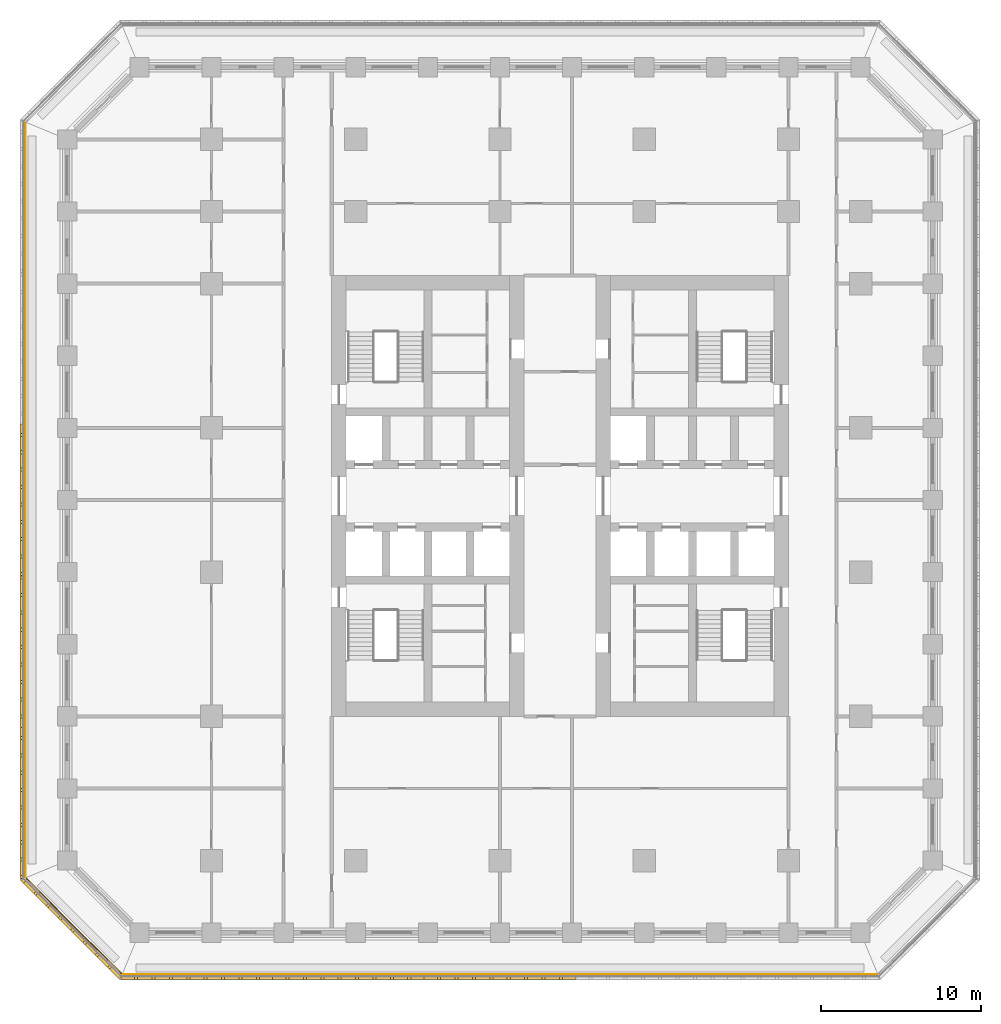
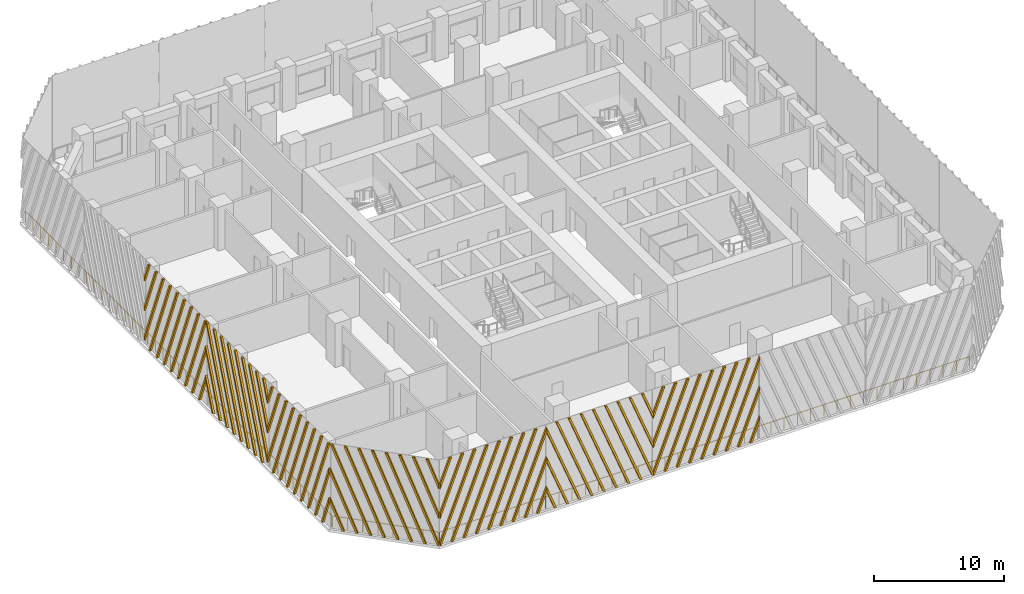
# One storey, part 10 of 19: 7 shading devices, 3 railings.
"""IFC4 building model written with IfcOpenShell, lengths in metres."""

from ifc_helpers import new_model, si_unit, direction, frame, origin, origin_2d, place, context, subcontext, project, spatial, polyline, circle, outline, extrude, source, transform, mapped, material, type_object, element, save


model = new_model("IFC4")

# Units and contexts
model_context = context("Model", 3, precision=1e-05, world=origin(), true_north=direction((0.0, 1.0)))
body_context = subcontext(model_context, "Body", "Model", "MODEL_VIEW")
ifc_project = project(units=[si_unit("LENGTHUNIT", "METRE"), si_unit("AREAUNIT", "SQUARE_METRE"), si_unit("VOLUMEUNIT", "CUBIC_METRE"), si_unit("PLANEANGLEUNIT", "RADIAN"), si_unit("MASSUNIT", "GRAM", prefix="KILO")], contexts=[model_context])

# Site, building, storey
site_placement = place(None, origin())
site = spatial("IfcSite", under=ifc_project, at=site_placement, CompositionType="ELEMENT")
building_placement = place(site_placement, origin())
building = spatial("IfcBuilding", under=site, at=building_placement, Name="Corbel Stack Research Tower", CompositionType="ELEMENT")
storey_placement = place(building_placement, frame((0.0, 0.0, 124.89990234375)))
storey = spatial("IfcBuildingStorey", under=building, at=storey_placement, Name="L28", CompositionType="ELEMENT", Elevation=124.89990234375)

# Railings
ifc_material_1 = material(Name="Powder-coated steel guard", Category="steel")
railing_type = type_object("IfcRailingType", Name="Steel and glass guard 1100", PredefinedType="GUARDRAIL", material=ifc_material_1)
railing_1_placement = place(storey_placement, frame((-23.50537109375, -25.10009765625, 0.0)))
element("IfcRailing", 1, at=railing_1_placement, inside=storey, type_object=railing_type, Name="Loggia guard L28 S", PredefinedType="GUARDRAIL", context=body_context, shape_type="SweptSolid", body=[
    extrude(circle(Radius=0.02392578125, at=origin_2d()), frame((0.0, 0.0, 1.076171875), z_axis=(1.0, 0.0, 0.0), x_axis=(0.0, 1.0, 0.0)), (0.0, 0.0, 1.0), 47.0107421875),
    extrude(circle(Radius=0.02099609375, at=origin_2d()), origin(), (0.0, 0.0, 1.0), 1.052001953125),
    extrude(circle(Radius=0.02099609375, at=origin_2d()), frame((1.17529296875, 0.0, 0.0)), (0.0, 0.0, 1.0), 1.052001953125),
    extrude(circle(Radius=0.02099609375, at=origin_2d()), frame((2.3505859375, 0.0, 0.0)), (0.0, 0.0, 1.0), 1.052001953125),
    extrude(circle(Radius=0.02099609375, at=origin_2d()), frame((3.52587890625, 0.0, 0.0)), (0.0, 0.0, 1.0), 1.052001953125),
    extrude(circle(Radius=0.02099609375, at=origin_2d()), frame((4.701171875, 0.0, 0.0)), (0.0, 0.0, 1.0), 1.052001953125),
    extrude(circle(Radius=0.02099609375, at=origin_2d()), frame((5.87646484375, 0.0, 0.0)), (0.0, 0.0, 1.0), 1.052001953125),
    extrude(circle(Radius=0.02099609375, at=origin_2d()), frame((7.051513671875, 0.0, 0.0)), (0.0, 0.0, 1.0), 1.052001953125),
    extrude(circle(Radius=0.02099609375, at=origin_2d()), frame((8.226806640625, 0.0, 0.0)), (0.0, 0.0, 1.0), 1.052001953125),
    extrude(circle(Radius=0.02099609375, at=origin_2d()), frame((9.402099609375, 0.0, 0.0)), (0.0, 0.0, 1.0), 1.052001953125),
    extrude(circle(Radius=0.02099609375, at=origin_2d()), frame((10.577392578125, 0.0, 0.0)), (0.0, 0.0, 1.0), 1.052001953125),
    extrude(circle(Radius=0.02099609375, at=origin_2d()), frame((11.752685546875, 0.0, 0.0)), (0.0, 0.0, 1.0), 1.052001953125),
    extrude(circle(Radius=0.02099609375, at=origin_2d()), frame((12.927978515625, 0.0, 0.0)), (0.0, 0.0, 1.0), 1.052001953125),
    extrude(circle(Radius=0.02099609375, at=origin_2d()), frame((14.103271484375, 0.0, 0.0)), (0.0, 0.0, 1.0), 1.052001953125),
    extrude(circle(Radius=0.02099609375, at=origin_2d()), frame((15.278564453125, 0.0, 0.0)), (0.0, 0.0, 1.0), 1.052001953125),
    extrude(circle(Radius=0.02099609375, at=origin_2d()), frame((16.453857421875, 0.0, 0.0)), (0.0, 0.0, 1.0), 1.052001953125),
    extrude(circle(Radius=0.02099609375, at=origin_2d()), frame((17.62890625, 0.0, 0.0)), (0.0, 0.0, 1.0), 1.052001953125),
    extrude(circle(Radius=0.02099609375, at=origin_2d()), frame((18.80419921875, 0.0, 0.0)), (0.0, 0.0, 1.0), 1.052001953125),
    extrude(circle(Radius=0.02099609375, at=origin_2d()), frame((19.9794921875, 0.0, 0.0)), (0.0, 0.0, 1.0), 1.052001953125),
    extrude(circle(Radius=0.02099609375, at=origin_2d()), frame((21.15478515625, 0.0, 0.0)), (0.0, 0.0, 1.0), 1.052001953125),
    extrude(circle(Radius=0.02099609375, at=origin_2d()), frame((22.330078125, 0.0, 0.0)), (0.0, 0.0, 1.0), 1.052001953125),
    extrude(circle(Radius=0.02099609375, at=origin_2d()), frame((23.50537109375, 0.0, 0.0)), (0.0, 0.0, 1.0), 1.052001953125),
    extrude(circle(Radius=0.02099609375, at=origin_2d()), frame((24.6806640625, 0.0, 0.0)), (0.0, 0.0, 1.0), 1.052001953125),
    extrude(circle(Radius=0.02099609375, at=origin_2d()), frame((25.85595703125, 0.0, 0.0)), (0.0, 0.0, 1.0), 1.052001953125),
    extrude(circle(Radius=0.02099609375, at=origin_2d()), frame((27.03125, 0.0, 0.0)), (0.0, 0.0, 1.0), 1.052001953125),
    extrude(circle(Radius=0.02099609375, at=origin_2d()), frame((28.20654296875, 0.0, 0.0)), (0.0, 0.0, 1.0), 1.052001953125),
    extrude(circle(Radius=0.02099609375, at=origin_2d()), frame((29.3818359375, 0.0, 0.0)), (0.0, 0.0, 1.0), 1.052001953125),
    extrude(circle(Radius=0.02099609375, at=origin_2d()), frame((30.556884765625, 0.0, 0.0)), (0.0, 0.0, 1.0), 1.052001953125),
    extrude(circle(Radius=0.02099609375, at=origin_2d()), frame((31.732177734375, 0.0, 0.0)), (0.0, 0.0, 1.0), 1.052001953125),
    extrude(circle(Radius=0.02099609375, at=origin_2d()), frame((32.907470703125, 0.0, 0.0)), (0.0, 0.0, 1.0), 1.052001953125),
    extrude(circle(Radius=0.02099609375, at=origin_2d()), frame((34.082763671875, 0.0, 0.0)), (0.0, 0.0, 1.0), 1.052001953125),
    extrude(circle(Radius=0.02099609375, at=origin_2d()), frame((35.258056640625, 0.0, 0.0)), (0.0, 0.0, 1.0), 1.052001953125),
    extrude(circle(Radius=0.02099609375, at=origin_2d()), frame((36.433349609375, 0.0, 0.0)), (0.0, 0.0, 1.0), 1.052001953125),
    extrude(circle(Radius=0.02099609375, at=origin_2d()), frame((37.608642578125, 0.0, 0.0)), (0.0, 0.0, 1.0), 1.052001953125),
    extrude(circle(Radius=0.02099609375, at=origin_2d()), frame((38.783935546875, 0.0, 0.0)), (0.0, 0.0, 1.0), 1.052001953125),
    extrude(circle(Radius=0.02099609375, at=origin_2d()), frame((39.959228515625, 0.0, 0.0)), (0.0, 0.0, 1.0), 1.052001953125),
    extrude(circle(Radius=0.02099609375, at=origin_2d()), frame((41.13427734375, 0.0, 0.0)), (0.0, 0.0, 1.0), 1.052001953125),
    extrude(circle(Radius=0.02099609375, at=origin_2d()), frame((42.3095703125, 0.0, 0.0)), (0.0, 0.0, 1.0), 1.052001953125),
    extrude(circle(Radius=0.02099609375, at=origin_2d()), frame((43.48486328125, 0.0, 0.0)), (0.0, 0.0, 1.0), 1.052001953125),
    extrude(circle(Radius=0.02099609375, at=origin_2d()), frame((44.66015625, 0.0, 0.0)), (0.0, 0.0, 1.0), 1.052001953125),
    extrude(circle(Radius=0.02099609375, at=origin_2d()), frame((45.83544921875, 0.0, 0.0)), (0.0, 0.0, 1.0), 1.052001953125),
    extrude(circle(Radius=0.02099609375, at=origin_2d()), frame((47.0107421875, 0.0, 0.0)), (0.0, 0.0, 1.0), 1.052001953125),
])
railing_2_placement = place(storey_placement, frame((-29.60009765625, 28.00537109375, 0.0)))
element("IfcRailing", 2, at=railing_2_placement, inside=storey, type_object=railing_type, Name="Loggia guard L28 W", PredefinedType="GUARDRAIL", context=body_context, shape_type="SweptSolid", body=[
    extrude(circle(Radius=0.02392578125, at=origin_2d()), frame((0.0, 0.0, 1.076171875), z_axis=(0.0, -1.0, 0.0), x_axis=(1.0, 0.0, 0.0)), (0.0, 0.0, 1.0), 47.0107421875),
    extrude(circle(Radius=0.02099609375, at=origin_2d()), origin(), (0.0, 0.0, 1.0), 1.052001953125),
    extrude(circle(Radius=0.02099609375, at=origin_2d()), frame((0.0, -1.17529296875, 0.0)), (0.0, 0.0, 1.0), 1.052001953125),
    extrude(circle(Radius=0.02099609375, at=origin_2d()), frame((0.0, -2.3505859375, 0.0)), (0.0, 0.0, 1.0), 1.052001953125),
    extrude(circle(Radius=0.02099609375, at=origin_2d()), frame((0.0, -3.52587890625, 0.0)), (0.0, 0.0, 1.0), 1.052001953125),
    extrude(circle(Radius=0.02099609375, at=origin_2d()), frame((0.0, -4.701171875, 0.0)), (0.0, 0.0, 1.0), 1.052001953125),
    extrude(circle(Radius=0.02099609375, at=origin_2d()), frame((0.0, -5.87646484375, 0.0)), (0.0, 0.0, 1.0), 1.052001953125),
    extrude(circle(Radius=0.02099609375, at=origin_2d()), frame((0.0, -7.051513671875, 0.0)), (0.0, 0.0, 1.0), 1.052001953125),
    extrude(circle(Radius=0.02099609375, at=origin_2d()), frame((0.0, -8.226806640625, 0.0)), (0.0, 0.0, 1.0), 1.052001953125),
    extrude(circle(Radius=0.02099609375, at=origin_2d()), frame((0.0, -9.402099609375, 0.0)), (0.0, 0.0, 1.0), 1.052001953125),
    extrude(circle(Radius=0.02099609375, at=origin_2d()), frame((0.0, -10.577392578125, 0.0)), (0.0, 0.0, 1.0), 1.052001953125),
    extrude(circle(Radius=0.02099609375, at=origin_2d()), frame((0.0, -11.752685546875, 0.0)), (0.0, 0.0, 1.0), 1.052001953125),
    extrude(circle(Radius=0.02099609375, at=origin_2d()), frame((0.0, -12.927978515625, 0.0)), (0.0, 0.0, 1.0), 1.052001953125),
    extrude(circle(Radius=0.02099609375, at=origin_2d()), frame((0.0, -14.103271484375, 0.0)), (0.0, 0.0, 1.0), 1.052001953125),
    extrude(circle(Radius=0.02099609375, at=origin_2d()), frame((0.0, -15.278564453125, 0.0)), (0.0, 0.0, 1.0), 1.052001953125),
    extrude(circle(Radius=0.02099609375, at=origin_2d()), frame((0.0, -16.453857421875, 0.0)), (0.0, 0.0, 1.0), 1.052001953125),
    extrude(circle(Radius=0.02099609375, at=origin_2d()), frame((0.0, -17.62890625, 0.0)), (0.0, 0.0, 1.0), 1.052001953125),
    extrude(circle(Radius=0.02099609375, at=origin_2d()), frame((0.0, -18.80419921875, 0.0)), (0.0, 0.0, 1.0), 1.052001953125),
    extrude(circle(Radius=0.02099609375, at=origin_2d()), frame((0.0, -19.9794921875, 0.0)), (0.0, 0.0, 1.0), 1.052001953125),
    extrude(circle(Radius=0.02099609375, at=origin_2d()), frame((0.0, -21.15478515625, 0.0)), (0.0, 0.0, 1.0), 1.052001953125),
    extrude(circle(Radius=0.02099609375, at=origin_2d()), frame((0.0, -22.330078125, 0.0)), (0.0, 0.0, 1.0), 1.052001953125),
    extrude(circle(Radius=0.02099609375, at=origin_2d()), frame((0.0, -23.50537109375, 0.0)), (0.0, 0.0, 1.0), 1.052001953125),
    extrude(circle(Radius=0.02099609375, at=origin_2d()), frame((0.0, -24.6806640625, 0.0)), (0.0, 0.0, 1.0), 1.052001953125),
    extrude(circle(Radius=0.02099609375, at=origin_2d()), frame((0.0, -25.85595703125, 0.0)), (0.0, 0.0, 1.0), 1.052001953125),
    extrude(circle(Radius=0.02099609375, at=origin_2d()), frame((0.0, -27.03125, 0.0)), (0.0, 0.0, 1.0), 1.052001953125),
    extrude(circle(Radius=0.02099609375, at=origin_2d()), frame((0.0, -28.20654296875, 0.0)), (0.0, 0.0, 1.0), 1.052001953125),
    extrude(circle(Radius=0.02099609375, at=origin_2d()), frame((0.0, -29.3818359375, 0.0)), (0.0, 0.0, 1.0), 1.052001953125),
    extrude(circle(Radius=0.02099609375, at=origin_2d()), frame((0.0, -30.556884765625, 0.0)), (0.0, 0.0, 1.0), 1.052001953125),
    extrude(circle(Radius=0.02099609375, at=origin_2d()), frame((0.0, -31.732177734375, 0.0)), (0.0, 0.0, 1.0), 1.052001953125),
    extrude(circle(Radius=0.02099609375, at=origin_2d()), frame((0.0, -32.907470703125, 0.0)), (0.0, 0.0, 1.0), 1.052001953125),
    extrude(circle(Radius=0.02099609375, at=origin_2d()), frame((0.0, -34.082763671875, 0.0)), (0.0, 0.0, 1.0), 1.052001953125),
    extrude(circle(Radius=0.02099609375, at=origin_2d()), frame((0.0, -35.258056640625, 0.0)), (0.0, 0.0, 1.0), 1.052001953125),
    extrude(circle(Radius=0.02099609375, at=origin_2d()), frame((0.0, -36.433349609375, 0.0)), (0.0, 0.0, 1.0), 1.052001953125),
    extrude(circle(Radius=0.02099609375, at=origin_2d()), frame((0.0, -37.608642578125, 0.0)), (0.0, 0.0, 1.0), 1.052001953125),
    extrude(circle(Radius=0.02099609375, at=origin_2d()), frame((0.0, -38.783935546875, 0.0)), (0.0, 0.0, 1.0), 1.052001953125),
    extrude(circle(Radius=0.02099609375, at=origin_2d()), frame((0.0, -39.959228515625, 0.0)), (0.0, 0.0, 1.0), 1.052001953125),
    extrude(circle(Radius=0.02099609375, at=origin_2d()), frame((0.0, -41.13427734375, 0.0)), (0.0, 0.0, 1.0), 1.052001953125),
    extrude(circle(Radius=0.02099609375, at=origin_2d()), frame((0.0, -42.3095703125, 0.0)), (0.0, 0.0, 1.0), 1.052001953125),
    extrude(circle(Radius=0.02099609375, at=origin_2d()), frame((0.0, -43.48486328125, 0.0)), (0.0, 0.0, 1.0), 1.052001953125),
    extrude(circle(Radius=0.02099609375, at=origin_2d()), frame((0.0, -44.66015625, 0.0)), (0.0, 0.0, 1.0), 1.052001953125),
    extrude(circle(Radius=0.02099609375, at=origin_2d()), frame((0.0, -45.83544921875, 0.0)), (0.0, 0.0, 1.0), 1.052001953125),
    extrude(circle(Radius=0.02099609375, at=origin_2d()), frame((0.0, -47.0107421875, 0.0)), (0.0, 0.0, 1.0), 1.052001953125),
])
railing_3_placement = place(storey_placement, frame((-29.54931640625, -19.127685546875, 0.0)))
element("IfcRailing", 3, at=railing_3_placement, inside=storey, type_object=railing_type, Name="Loggia guard L28 SW", PredefinedType="GUARDRAIL", context=body_context, shape_type="SweptSolid", body=[
    extrude(circle(Radius=0.02392578125, at=origin_2d()), frame((0.0, 0.0, 1.076171875), z_axis=(0.707106781187, -0.707106781187, 0.0), x_axis=(0.707106781187, 0.707106781187, 0.0)), (0.0, 0.0, 1.0), 8.37451171875),
    extrude(circle(Radius=0.02099609375, at=origin_2d()), origin(), (0.0, 0.0, 1.0), 1.052001953125),
    extrude(circle(Radius=0.02099609375, at=origin_2d()), frame((0.845947265625, -0.845947265625, 0.0)), (0.0, 0.0, 1.0), 1.052001953125),
    extrude(circle(Radius=0.02099609375, at=origin_2d()), frame((1.69189453125, -1.69189453125, 0.0)), (0.0, 0.0, 1.0), 1.052001953125),
    extrude(circle(Radius=0.02099609375, at=origin_2d()), frame((2.537841796875, -2.537841796875, 0.0)), (0.0, 0.0, 1.0), 1.052001953125),
    extrude(circle(Radius=0.02099609375, at=origin_2d()), frame((3.3837890625, -3.3837890625, 0.0)), (0.0, 0.0, 1.0), 1.052001953125),
    extrude(circle(Radius=0.02099609375, at=origin_2d()), frame((4.229736328125, -4.229736328125, 0.0)), (0.0, 0.0, 1.0), 1.052001953125),
    extrude(circle(Radius=0.02099609375, at=origin_2d()), frame((5.07568359375, -5.07568359375, 0.0)), (0.0, 0.0, 1.0), 1.052001953125),
    extrude(circle(Radius=0.02099609375, at=origin_2d()), frame((5.921630859375, -5.921630859375, 0.0)), (0.0, 0.0, 1.0), 1.052001953125),
])

# Shading devices
ifc_material_2 = material(Name="Precast terracotta", Category="masonry")
shading_device_type = type_object("IfcShadingDeviceType", Name="Terracotta screen panel", PredefinedType="USERDEFINED", material=ifc_material_2)
shared_shape_1 = source(origin(), body_context, "Body", "SweptSolid", [
    extrude(outline(polyline([(1.030517578125, 7.949951171875), (0.840576171875, 7.949951171875), (0.0, 5.7978515625), (0.0, 5.311279296875), (1.030517578125, 7.949951171875)])), frame((0.0, 0.0, 0.0), z_axis=(0.0, -1.0, 0.0), x_axis=(1.0, 0.0, 0.0)), (0.0, 0.0, 1.0), 0.179931640625),
    extrude(outline(polyline([(2.115234375, 7.949951171875), (1.92529296875, 7.949951171875), (0.0, 3.0205078125), (0.0, 2.533935546875), (2.115234375, 7.949951171875)])), frame((0.0, 0.0, 0.0), z_axis=(0.0, -1.0, 0.0), x_axis=(1.0, 0.0, 0.0)), (0.0, 0.0, 1.0), 0.179931640625),
    extrude(outline(polyline([(0.094970703125, 0.0), (3.199951171875, 7.949951171875), (3.010009765625, 7.949951171875), (0.0, 0.2431640625), (0.0, 0.0), (0.094970703125, 0.0)])), frame((0.0, 0.0, 0.0), z_axis=(0.0, -1.0, 0.0), x_axis=(1.0, 0.0, 0.0)), (0.0, 0.0, 1.0), 0.179931640625),
    extrude(outline(polyline([(1.1796875, 0.0), (4.284423828125, 7.949951171875), (4.094482421875, 7.949951171875), (0.98974609375, 0.0), (1.1796875, 0.0)])), frame((0.0, 0.0, 0.0), z_axis=(0.0, -1.0, 0.0), x_axis=(1.0, 0.0, 0.0)), (0.0, 0.0, 1.0), 0.179931640625),
    extrude(outline(polyline([(2.264404296875, 0.0), (5.369140625, 7.949951171875), (5.17919921875, 7.949951171875), (2.07421875, 0.0), (2.264404296875, 0.0)])), frame((0.0, 0.0, 0.0), z_axis=(0.0, -1.0, 0.0), x_axis=(1.0, 0.0, 0.0)), (0.0, 0.0, 1.0), 0.179931640625),
    extrude(outline(polyline([(3.34912109375, 0.0), (6.453857421875, 7.949951171875), (6.263916015625, 7.949951171875), (3.158935546875, 0.0), (3.34912109375, 0.0)])), frame((0.0, 0.0, 0.0), z_axis=(0.0, -1.0, 0.0), x_axis=(1.0, 0.0, 0.0)), (0.0, 0.0, 1.0), 0.179931640625),
    extrude(outline(polyline([(4.43359375, 0.0), (7.53857421875, 7.949951171875), (7.348388671875, 7.949951171875), (4.24365234375, 0.0), (4.43359375, 0.0)])), frame((0.0, 0.0, 0.0), z_axis=(0.0, -1.0, 0.0), x_axis=(1.0, 0.0, 0.0)), (0.0, 0.0, 1.0), 0.179931640625),
    extrude(outline(polyline([(5.518310546875, 0.0), (8.623291015625, 7.949951171875), (8.43310546875, 7.949951171875), (5.328369140625, 0.0), (5.518310546875, 0.0)])), frame((0.0, 0.0, 0.0), z_axis=(0.0, -1.0, 0.0), x_axis=(1.0, 0.0, 0.0)), (0.0, 0.0, 1.0), 0.179931640625),
    extrude(outline(polyline([(6.60302734375, 0.0), (9.45556640625, 7.30419921875), (9.45556640625, 7.790771484375), (6.4130859375, 0.0), (6.60302734375, 0.0)])), frame((0.0, 0.0, 0.0), z_axis=(0.0, -1.0, 0.0), x_axis=(1.0, 0.0, 0.0)), (0.0, 0.0, 1.0), 0.179931640625),
    extrude(outline(polyline([(7.687744140625, 0.0), (9.45556640625, 4.52685546875), (9.45556640625, 5.013427734375), (7.497802734375, 0.0), (7.687744140625, 0.0)])), frame((0.0, 0.0, 0.0), z_axis=(0.0, -1.0, 0.0), x_axis=(1.0, 0.0, 0.0)), (0.0, 0.0, 1.0), 0.179931640625),
    extrude(outline(polyline([(8.772216796875, 0.0), (9.45556640625, 1.74951171875), (9.45556640625, 2.236083984375), (8.582275390625, 0.0), (8.772216796875, 0.0)])), frame((0.0, 0.0, 0.0), z_axis=(0.0, -1.0, 0.0), x_axis=(1.0, 0.0, 0.0)), (0.0, 0.0, 1.0), 0.179931640625),
])
for number, where, z_axis, x_axis, name in (
    (4, (-23.63916015625, -25.25, 0.0), (0.0, 0.0, 1.0), (1.0, 0.0, 0.0), "Terracotta screen L28 S1"),
    (5, (-4.727783203125, -25.25, 0.0), (0.0, 0.0, 1.0), (1.0, 0.0, 0.0), "Terracotta screen L28 S3"),
):
    element("IfcShadingDevice", number, at=place(storey_placement, frame(where, z_axis=z_axis, x_axis=x_axis)), inside=storey, type_object=shading_device_type, Name=name, ObjectType="SCREEN", PredefinedType="USERDEFINED", context=body_context, shape_type="MappedRepresentation", body=[
        mapped(shared_shape_1, transform((0.0, 0.0, 0.0))),
    ])
shared_shape_2 = source(origin(), body_context, "Body", "SweptSolid", [
    extrude(outline(polyline([(0.873291015625, 0.0), (0.0, 2.236083984375), (0.0, 1.74951171875), (0.683349609375, 0.0), (0.873291015625, 0.0)])), frame((0.0, 0.0, 0.0), z_axis=(0.0, -1.0, 0.0), x_axis=(1.0, 0.0, 0.0)), (0.0, 0.0, 1.0), 0.179931640625),
    extrude(outline(polyline([(1.9580078125, 0.0), (0.0, 5.013427734375), (0.0, 4.52685546875), (1.76806640625, 0.0), (1.9580078125, 0.0)])), frame((0.0, 0.0, 0.0), z_axis=(0.0, -1.0, 0.0), x_axis=(1.0, 0.0, 0.0)), (0.0, 0.0, 1.0), 0.179931640625),
    extrude(outline(polyline([(3.04248046875, 0.0), (0.0, 7.790771484375), (0.0, 7.30419921875), (2.8525390625, 0.0), (3.04248046875, 0.0)])), frame((0.0, 0.0, 0.0), z_axis=(0.0, -1.0, 0.0), x_axis=(1.0, 0.0, 0.0)), (0.0, 0.0, 1.0), 0.179931640625),
    extrude(outline(polyline([(4.127197265625, 0.0), (1.0224609375, 7.949951171875), (0.83251953125, 7.949951171875), (3.937255859375, 0.0), (4.127197265625, 0.0)])), frame((0.0, 0.0, 0.0), z_axis=(0.0, -1.0, 0.0), x_axis=(1.0, 0.0, 0.0)), (0.0, 0.0, 1.0), 0.179931640625),
    extrude(outline(polyline([(5.2119140625, 0.0), (2.107177734375, 7.949951171875), (1.9169921875, 7.949951171875), (5.02197265625, 0.0), (5.2119140625, 0.0)])), frame((0.0, 0.0, 0.0), z_axis=(0.0, -1.0, 0.0), x_axis=(1.0, 0.0, 0.0)), (0.0, 0.0, 1.0), 0.179931640625),
    extrude(outline(polyline([(6.296630859375, 0.0), (3.19189453125, 7.949951171875), (3.001708984375, 7.949951171875), (6.106689453125, 0.0), (6.296630859375, 0.0)])), frame((0.0, 0.0, 0.0), z_axis=(0.0, -1.0, 0.0), x_axis=(1.0, 0.0, 0.0)), (0.0, 0.0, 1.0), 0.179931640625),
    extrude(outline(polyline([(7.38134765625, 0.0), (4.276611328125, 7.949951171875), (4.08642578125, 7.949951171875), (7.19140625, 0.0), (7.38134765625, 0.0)])), frame((0.0, 0.0, 0.0), z_axis=(0.0, -1.0, 0.0), x_axis=(1.0, 0.0, 0.0)), (0.0, 0.0, 1.0), 0.179931640625),
    extrude(outline(polyline([(8.466064453125, 0.0), (5.361083984375, 7.949951171875), (5.171142578125, 7.949951171875), (8.27587890625, 0.0), (8.466064453125, 0.0)])), frame((0.0, 0.0, 0.0), z_axis=(0.0, -1.0, 0.0), x_axis=(1.0, 0.0, 0.0)), (0.0, 0.0, 1.0), 0.179931640625),
    extrude(outline(polyline([(9.45556640625, 0.0), (9.45556640625, 0.2431640625), (6.44580078125, 7.949951171875), (6.255859375, 7.949951171875), (9.360595703125, 0.0), (9.45556640625, 0.0)])), frame((0.0, 0.0, 0.0), z_axis=(0.0, -1.0, 0.0), x_axis=(1.0, 0.0, 0.0)), (0.0, 0.0, 1.0), 0.179931640625),
    extrude(outline(polyline([(7.530517578125, 7.949951171875), (7.34033203125, 7.949951171875), (9.45556640625, 2.533935546875), (9.45556640625, 3.0205078125), (7.530517578125, 7.949951171875)])), frame((0.0, 0.0, 0.0), z_axis=(0.0, -1.0, 0.0), x_axis=(1.0, 0.0, 0.0)), (0.0, 0.0, 1.0), 0.179931640625),
    extrude(outline(polyline([(8.614990234375, 7.949951171875), (8.425048828125, 7.949951171875), (9.45556640625, 5.311279296875), (9.45556640625, 5.7978515625), (8.614990234375, 7.949951171875)])), frame((0.0, 0.0, 0.0), z_axis=(0.0, -1.0, 0.0), x_axis=(1.0, 0.0, 0.0)), (0.0, 0.0, 1.0), 0.179931640625),
])
shading_device_1_placement = place(storey_placement, frame((-14.18359375, -25.25, 0.0), z_axis=(0.0, 0.0, 1.0), x_axis=(1.0, 0.0, 0.0)))
element("IfcShadingDevice", 6, at=shading_device_1_placement, inside=storey, type_object=shading_device_type, Name="Terracotta screen L28 S2", ObjectType="SCREEN", PredefinedType="USERDEFINED", context=body_context, shape_type="MappedRepresentation", body=[
    mapped(shared_shape_2, transform((0.0, 0.0, 0.0))),
])
shared_shape_3 = source(origin(), body_context, "Body", "SweptSolid", [
    extrude(outline(polyline([(0.759521484375, 7.949951171875), (0.5693359375, 7.949951171875), (0.0, 6.4921875), (0.0, 6.005615234375), (0.759521484375, 7.949951171875)])), frame((0.0, 0.0, 0.0), z_axis=(0.0, -1.0, 0.0), x_axis=(1.0, 0.0, 0.0)), (0.0, 0.0, 1.0), 0.179931640625),
    extrude(outline(polyline([(1.843994140625, 7.949951171875), (1.654052734375, 7.949951171875), (0.0, 3.71484375), (0.0, 3.228515625), (1.843994140625, 7.949951171875)])), frame((0.0, 0.0, 0.0), z_axis=(0.0, -1.0, 0.0), x_axis=(1.0, 0.0, 0.0)), (0.0, 0.0, 1.0), 0.179931640625),
    extrude(outline(polyline([(2.9287109375, 7.949951171875), (2.73876953125, 7.949951171875), (0.0, 0.9375), (0.0, 0.451171875), (2.9287109375, 7.949951171875)])), frame((0.0, 0.0, 0.0), z_axis=(0.0, -1.0, 0.0), x_axis=(1.0, 0.0, 0.0)), (0.0, 0.0, 1.0), 0.179931640625),
    extrude(outline(polyline([(0.908447265625, 0.0), (4.013427734375, 7.949951171875), (3.823486328125, 7.949951171875), (0.718505859375, 0.0), (0.908447265625, 0.0)])), frame((0.0, 0.0, 0.0), z_axis=(0.0, -1.0, 0.0), x_axis=(1.0, 0.0, 0.0)), (0.0, 0.0, 1.0), 0.179931640625),
    extrude(outline(polyline([(1.9931640625, 0.0), (5.097900390625, 7.949951171875), (4.907958984375, 7.949951171875), (1.80322265625, 0.0), (1.9931640625, 0.0)])), frame((0.0, 0.0, 0.0), z_axis=(0.0, -1.0, 0.0), x_axis=(1.0, 0.0, 0.0)), (0.0, 0.0, 1.0), 0.179931640625),
    extrude(outline(polyline([(3.077880859375, 0.0), (6.1826171875, 7.949951171875), (5.99267578125, 7.949951171875), (2.8876953125, 0.0), (3.077880859375, 0.0)])), frame((0.0, 0.0, 0.0), z_axis=(0.0, -1.0, 0.0), x_axis=(1.0, 0.0, 0.0)), (0.0, 0.0, 1.0), 0.179931640625),
    extrude(outline(polyline([(4.16259765625, 0.0), (7.267333984375, 7.949951171875), (7.077392578125, 7.949951171875), (3.972412109375, 0.0), (4.16259765625, 0.0)])), frame((0.0, 0.0, 0.0), z_axis=(0.0, -1.0, 0.0), x_axis=(1.0, 0.0, 0.0)), (0.0, 0.0, 1.0), 0.179931640625),
    extrude(outline(polyline([(5.247314453125, 0.0), (8.35205078125, 7.949951171875), (8.162109375, 7.949951171875), (5.05712890625, 0.0), (5.247314453125, 0.0)])), frame((0.0, 0.0, 0.0), z_axis=(0.0, -1.0, 0.0), x_axis=(1.0, 0.0, 0.0)), (0.0, 0.0, 1.0), 0.179931640625),
    extrude(outline(polyline([(6.331787109375, 0.0), (9.436767578125, 7.949951171875), (9.24658203125, 7.949951171875), (6.141845703125, 0.0), (6.331787109375, 0.0)])), frame((0.0, 0.0, 0.0), z_axis=(0.0, -1.0, 0.0), x_axis=(1.0, 0.0, 0.0)), (0.0, 0.0, 1.0), 0.179931640625),
    extrude(outline(polyline([(7.41650390625, 0.0), (9.45556640625, 5.22119140625), (9.45556640625, 5.707763671875), (7.2265625, 0.0), (7.41650390625, 0.0)])), frame((0.0, 0.0, 0.0), z_axis=(0.0, -1.0, 0.0), x_axis=(1.0, 0.0, 0.0)), (0.0, 0.0, 1.0), 0.179931640625),
    extrude(outline(polyline([(8.501220703125, 0.0), (9.45556640625, 2.44384765625), (9.45556640625, 2.930419921875), (8.311279296875, 0.0), (8.501220703125, 0.0)])), frame((0.0, 0.0, 0.0), z_axis=(0.0, -1.0, 0.0), x_axis=(1.0, 0.0, 0.0)), (0.0, 0.0, 1.0), 0.179931640625),
])
for number, where, z_axis, x_axis, name in (
    (7, (-29.75, 9.227783203125, 0.0), (0.0, 0.0, 1.0), (0.0, -1.0, 0.0), "Terracotta screen L28 W3"),
    (8, (-29.75, -9.68359375, 0.0), (0.0, 0.0, 1.0), (0.0, -1.0, 0.0), "Terracotta screen L28 W5"),
):
    element("IfcShadingDevice", number, at=place(storey_placement, frame(where, z_axis=z_axis, x_axis=x_axis)), inside=storey, type_object=shading_device_type, Name=name, ObjectType="SCREEN", PredefinedType="USERDEFINED", context=body_context, shape_type="MappedRepresentation", body=[
        mapped(shared_shape_3, transform((0.0, 0.0, 0.0))),
    ])
shared_shape_4 = source(origin(), body_context, "Body", "SweptSolid", [
    extrude(outline(polyline([(1.14453125, 0.0), (0.0, 2.930419921875), (0.0, 2.44384765625), (0.95458984375, 0.0), (1.14453125, 0.0)])), frame((0.0, 0.0, 0.0), z_axis=(0.0, -1.0, 0.0), x_axis=(1.0, 0.0, 0.0)), (0.0, 0.0, 1.0), 0.179931640625),
    extrude(outline(polyline([(2.22900390625, 0.0), (0.0, 5.707763671875), (0.0, 5.22119140625), (2.0390625, 0.0), (2.22900390625, 0.0)])), frame((0.0, 0.0, 0.0), z_axis=(0.0, -1.0, 0.0), x_axis=(1.0, 0.0, 0.0)), (0.0, 0.0, 1.0), 0.179931640625),
    extrude(outline(polyline([(3.313720703125, 0.0), (0.208984375, 7.949951171875), (0.01904296875, 7.949951171875), (3.123779296875, 0.0), (3.313720703125, 0.0)])), frame((0.0, 0.0, 0.0), z_axis=(0.0, -1.0, 0.0), x_axis=(1.0, 0.0, 0.0)), (0.0, 0.0, 1.0), 0.179931640625),
    extrude(outline(polyline([(4.3984375, 0.0), (1.293701171875, 7.949951171875), (1.103515625, 7.949951171875), (4.20849609375, 0.0), (4.3984375, 0.0)])), frame((0.0, 0.0, 0.0), z_axis=(0.0, -1.0, 0.0), x_axis=(1.0, 0.0, 0.0)), (0.0, 0.0, 1.0), 0.179931640625),
    extrude(outline(polyline([(5.483154296875, 0.0), (2.37841796875, 7.949951171875), (2.188232421875, 7.949951171875), (5.293212890625, 0.0), (5.483154296875, 0.0)])), frame((0.0, 0.0, 0.0), z_axis=(0.0, -1.0, 0.0), x_axis=(1.0, 0.0, 0.0)), (0.0, 0.0, 1.0), 0.179931640625),
    extrude(outline(polyline([(6.56787109375, 0.0), (3.462890625, 7.949951171875), (3.27294921875, 7.949951171875), (6.377685546875, 0.0), (6.56787109375, 0.0)])), frame((0.0, 0.0, 0.0), z_axis=(0.0, -1.0, 0.0), x_axis=(1.0, 0.0, 0.0)), (0.0, 0.0, 1.0), 0.179931640625),
    extrude(outline(polyline([(7.652587890625, 0.0), (4.547607421875, 7.949951171875), (4.357666015625, 7.949951171875), (7.46240234375, 0.0), (7.652587890625, 0.0)])), frame((0.0, 0.0, 0.0), z_axis=(0.0, -1.0, 0.0), x_axis=(1.0, 0.0, 0.0)), (0.0, 0.0, 1.0), 0.179931640625),
    extrude(outline(polyline([(8.737060546875, 0.0), (5.63232421875, 7.949951171875), (5.4423828125, 7.949951171875), (8.547119140625, 0.0), (8.737060546875, 0.0)])), frame((0.0, 0.0, 0.0), z_axis=(0.0, -1.0, 0.0), x_axis=(1.0, 0.0, 0.0)), (0.0, 0.0, 1.0), 0.179931640625),
    extrude(outline(polyline([(6.716796875, 7.949951171875), (6.52685546875, 7.949951171875), (9.45556640625, 0.451171875), (9.45556640625, 0.9375), (6.716796875, 7.949951171875)])), frame((0.0, 0.0, 0.0), z_axis=(0.0, -1.0, 0.0), x_axis=(1.0, 0.0, 0.0)), (0.0, 0.0, 1.0), 0.179931640625),
    extrude(outline(polyline([(7.801513671875, 7.949951171875), (7.611572265625, 7.949951171875), (9.45556640625, 3.228515625), (9.45556640625, 3.71484375), (7.801513671875, 7.949951171875)])), frame((0.0, 0.0, 0.0), z_axis=(0.0, -1.0, 0.0), x_axis=(1.0, 0.0, 0.0)), (0.0, 0.0, 1.0), 0.179931640625),
    extrude(outline(polyline([(8.88623046875, 7.949951171875), (8.6962890625, 7.949951171875), (9.45556640625, 6.005615234375), (9.45556640625, 6.4921875), (8.88623046875, 7.949951171875)])), frame((0.0, 0.0, 0.0), z_axis=(0.0, -1.0, 0.0), x_axis=(1.0, 0.0, 0.0)), (0.0, 0.0, 1.0), 0.179931640625),
])
shading_device_2_placement = place(storey_placement, frame((-29.75, -0.227783203125, 0.0), z_axis=(0.0, 0.0, 1.0), x_axis=(0.0, -1.0, 0.0)))
element("IfcShadingDevice", 9, at=shading_device_2_placement, inside=storey, type_object=shading_device_type, Name="Terracotta screen L28 W4", ObjectType="SCREEN", PredefinedType="USERDEFINED", context=body_context, shape_type="MappedRepresentation", body=[
    mapped(shared_shape_4, transform((0.0, 0.0, 0.0))),
])
shared_shape_5 = source(origin(), body_context, "Body", "SweptSolid", [
    extrude(outline(polyline([(1.14453125, 0.0), (0.0, 2.930419921875), (0.0, 2.44384765625), (0.95458984375, 0.0), (1.14453125, 0.0)])), frame((0.0, 0.0, 0.0), z_axis=(0.0, -1.0, 0.0), x_axis=(1.0, 0.0, 0.0)), (0.0, 0.0, 1.0), 0.179931640625),
    extrude(outline(polyline([(2.22900390625, 0.0), (0.0, 5.707763671875), (0.0, 5.22119140625), (2.0390625, 0.0), (2.22900390625, 0.0)])), frame((0.0, 0.0, 0.0), z_axis=(0.0, -1.0, 0.0), x_axis=(1.0, 0.0, 0.0)), (0.0, 0.0, 1.0), 0.179931640625),
    extrude(outline(polyline([(3.313720703125, 0.0), (0.208984375, 7.949951171875), (0.01904296875, 7.949951171875), (3.123779296875, 0.0), (3.313720703125, 0.0)])), frame((0.0, 0.0, 0.0), z_axis=(0.0, -1.0, 0.0), x_axis=(1.0, 0.0, 0.0)), (0.0, 0.0, 1.0), 0.179931640625),
    extrude(outline(polyline([(4.3984375, 0.0), (1.293701171875, 7.949951171875), (1.103515625, 7.949951171875), (4.20849609375, 0.0), (4.3984375, 0.0)])), frame((0.0, 0.0, 0.0), z_axis=(0.0, -1.0, 0.0), x_axis=(1.0, 0.0, 0.0)), (0.0, 0.0, 1.0), 0.179931640625),
    extrude(outline(polyline([(5.483154296875, 0.0), (2.37841796875, 7.949951171875), (2.188232421875, 7.949951171875), (5.293212890625, 0.0), (5.483154296875, 0.0)])), frame((0.0, 0.0, 0.0), z_axis=(0.0, -1.0, 0.0), x_axis=(1.0, 0.0, 0.0)), (0.0, 0.0, 1.0), 0.179931640625),
    extrude(outline(polyline([(6.56787109375, 0.0), (3.462890625, 7.949951171875), (3.27294921875, 7.949951171875), (6.377685546875, 0.0), (6.56787109375, 0.0)])), frame((0.0, 0.0, 0.0), z_axis=(0.0, -1.0, 0.0), x_axis=(1.0, 0.0, 0.0)), (0.0, 0.0, 1.0), 0.179931640625),
    extrude(outline(polyline([(7.652587890625, 0.0), (4.547607421875, 7.949951171875), (4.357666015625, 7.949951171875), (7.46240234375, 0.0), (7.652587890625, 0.0)])), frame((0.0, 0.0, 0.0), z_axis=(0.0, -1.0, 0.0), x_axis=(1.0, 0.0, 0.0)), (0.0, 0.0, 1.0), 0.179931640625),
    extrude(outline(polyline([(8.64208984375, 0.0), (8.64208984375, 0.2431640625), (5.63232421875, 7.949951171875), (5.4423828125, 7.949951171875), (8.547119140625, 0.0), (8.64208984375, 0.0)])), frame((0.0, 0.0, 0.0), z_axis=(0.0, -1.0, 0.0), x_axis=(1.0, 0.0, 0.0)), (0.0, 0.0, 1.0), 0.179931640625),
    extrude(outline(polyline([(6.716796875, 7.949951171875), (6.52685546875, 7.949951171875), (8.64208984375, 2.533935546875), (8.64208984375, 3.0205078125), (6.716796875, 7.949951171875)])), frame((0.0, 0.0, 0.0), z_axis=(0.0, -1.0, 0.0), x_axis=(1.0, 0.0, 0.0)), (0.0, 0.0, 1.0), 0.179931640625),
    extrude(outline(polyline([(7.801513671875, 7.949951171875), (7.611572265625, 7.949951171875), (8.64208984375, 5.311279296875), (8.64208984375, 5.7978515625), (7.801513671875, 7.949951171875)])), frame((0.0, 0.0, 0.0), z_axis=(0.0, -1.0, 0.0), x_axis=(1.0, 0.0, 0.0)), (0.0, 0.0, 1.0), 0.179931640625),
])
shading_device_3_placement = place(storey_placement, frame((-29.75, -19.13916015625, 0.0), z_axis=(0.0, 0.0, 1.0), x_axis=(0.707106781187, -0.707106781187, 0.0)))
element("IfcShadingDevice", 10, at=shading_device_3_placement, inside=storey, type_object=shading_device_type, Name="Terracotta screen L28 SW1", ObjectType="SCREEN", PredefinedType="USERDEFINED", context=body_context, shape_type="MappedRepresentation", body=[
    mapped(shared_shape_5, transform((0.0, 0.0, 0.0))),
])

save(model, "model.ifc")
